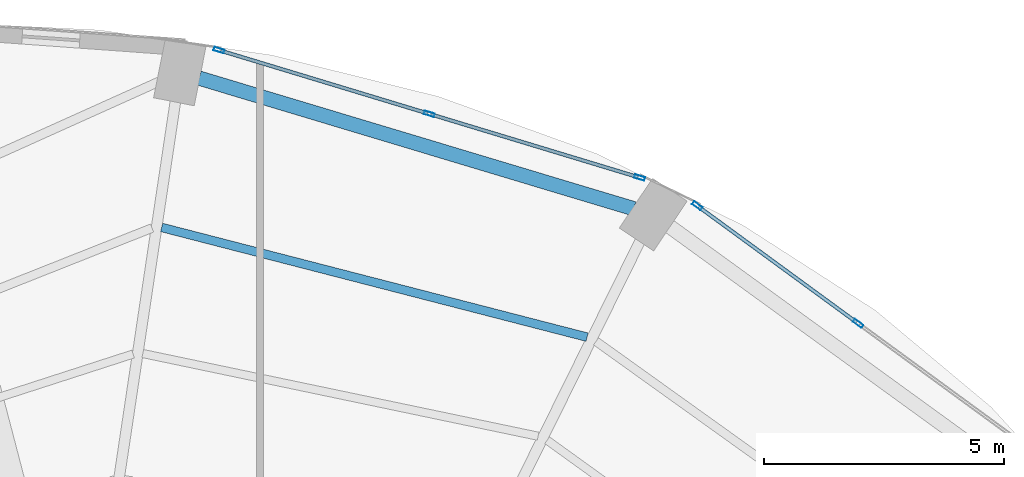
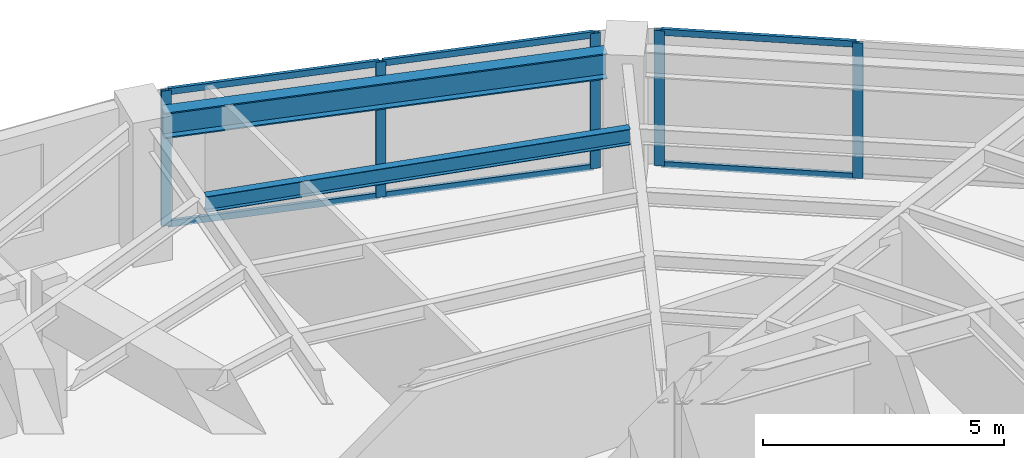
# One storey, part 17 of 24: 11 members, 2 beams, 2 elements without a shape of their own.
"""IFC4 building model written with IfcOpenShell, lengths in metres."""

from ifc_helpers import new_model, si_unit, direction, frame, origin, origin_2d, place, context, subcontext, project, spatial, hollow_rectangle, i_section, extrude, material, layer, layer_set, material_profile, profile_set, type_object, element, aggregate, save


model = new_model("IFC4")

# Units and contexts
model_context = context("Model", 3, precision=1e-05, world=origin(), true_north=direction((0.0, 1.0)))
body_context = subcontext(model_context, "Body", "Model", "MODEL_VIEW")
ifc_project = project(units=[si_unit("LENGTHUNIT", "METRE"), si_unit("AREAUNIT", "SQUARE_METRE"), si_unit("VOLUMEUNIT", "CUBIC_METRE"), si_unit("PLANEANGLEUNIT", "RADIAN"), si_unit("MASSUNIT", "GRAM", prefix="KILO")], contexts=[model_context])

# Site, building, storey
site_placement = place(None, origin())
site = spatial("IfcSite", under=ifc_project, at=site_placement, CompositionType="ELEMENT")
building_placement = place(site_placement, origin())
building = spatial("IfcBuilding", under=site, at=building_placement, Name="Lazwardi Medical Tower", CompositionType="ELEMENT")
storey_placement = place(building_placement, frame((0.0, 0.0, 36.14404296875)))
storey = spatial("IfcBuildingStorey", under=building, at=storey_placement, Name="L08", CompositionType="ELEMENT", Elevation=36.14404296875)

# Beams
ifc_material_1 = material(Name="Steel S355", Category="steel")
ifc_material_profile_1 = material_profile(ifc_material_1, i_section(OverallWidth=0.300048828125, OverallDepth=0.64990234375, WebThickness=0.01611328125, FlangeThickness=0.031005859375, at=origin_2d()), Name="HEB 650")
ifc_profile_set_1 = profile_set([ifc_material_profile_1], Name="Steel S355")
beam_type_1 = type_object("IfcBeamType", Name="BM-RB-Z1", PredefinedType="BEAM", material=ifc_profile_set_1)
beam_1_placement = place(storey_placement, frame((50.77880859375, 47.0048828125, 3.10302734375), z_axis=(-0.957695289269, 0.287784177662, 0.0), x_axis=(-0.287784177662, -0.957695289269, 0.0)))
element("IfcBeam", 1, at=beam_1_placement, inside=storey, type_object=beam_type_1, Name="Ring beam RB-02 B07 L08", PredefinedType="BEAM", context=body_context, shape_type="SweptSolid", body=[
    extrude(i_section(OverallWidth=0.300048828125, OverallDepth=0.64990234375, WebThickness=0.01611328125, FlangeThickness=0.031005859375, at=origin_2d()), origin(), (0.0, 0.0, 1.0), 9.445556640625),
])
ifc_material_profile_2 = material_profile(ifc_material_1, i_section(OverallWidth=0.179931640625, OverallDepth=0.39990234375, WebThickness=0.008544921875, FlangeThickness=0.013427734375, at=origin_2d()), Name="IPE 400")
ifc_profile_set_2 = profile_set([ifc_material_profile_2], Name="Steel S355")
beam_type_2 = type_object("IfcBeamType", Name="BM-SJ-01", PredefinedType="JOIST", material=ifc_profile_set_2)
beam_2_placement = place(storey_placement, frame((49.804931640625, 44.333251953125, 3.22802734375), z_axis=(-0.968316918308, 0.249724539682, 0.0), x_axis=(-0.249724539682, -0.968316918308, 0.0)))
element("IfcBeam", 2, at=beam_2_placement, inside=storey, type_object=beam_type_2, Name="Secondary joist SJ-01 R1 B07 L08", PredefinedType="JOIST", context=body_context, shape_type="SweptSolid", body=[
    extrude(i_section(OverallWidth=0.179931640625, OverallDepth=0.39990234375, WebThickness=0.008544921875, FlangeThickness=0.013427734375, at=origin_2d()), origin(), (0.0, 0.0, 1.0), 9.140869140625),
])

# Curtain wall, members
ifc_material_2 = material(Name="Anodised bronze aluminium and solar control glazing", Category="aluminium")
ifc_layer = layer(ifc_material_2, 0.199951171875)
ifc_layer_set = layer_set([ifc_layer], Name="Anodised bronze aluminium and solar control glazing")
curtain_wall_type = type_object("IfcCurtainWallType", Name="CW-SYS-02", PredefinedType="NOTDEFINED", material=ifc_layer_set)
curtain_wall_1_placement = place(storey_placement, origin())
curtain_wall_1 = element("IfcCurtainWall", 3, at=curtain_wall_1_placement, inside=storey, type_object=curtain_wall_type, Name="L08 Unitised bronze curtain wall CW-02", PredefinedType="NOTDEFINED")
ifc_material_3 = material(Name="Anodised bronze aluminium", Category="aluminium")
ifc_material_profile_3 = material_profile(ifc_material_3, hollow_rectangle(XDim=0.074951171875, YDim=0.219970703125, WallThickness=0.00390625, at=origin_2d()), Name="ALU-MULLION 220x75x4")
ifc_profile_set_3 = profile_set([ifc_material_profile_3], Name="Anodised bronze aluminium")
member_type_1 = type_object("IfcMemberType", Name="CW-MUL-01", PredefinedType="MULLION", material=ifc_profile_set_3)
member_1_placement = place(storey_placement, frame((55.4443359375, 44.619384765625, 0.0), z_axis=(0.0, 0.0, 1.0), x_axis=(-0.590289307341, -0.807191757663, 0.0)))
member_1 = element("IfcMember", 4, at=member_1_placement, type_object=member_type_1, Name="CW-02 mullion 2", PredefinedType="MULLION", context=body_context, shape_type="SweptSolid", body=[
    extrude(hollow_rectangle(XDim=0.074951171875, YDim=0.219970703125, WallThickness=0.00390625, at=origin_2d()), origin(), (0.0, 0.0, 1.0), 3.427978515625),
])
member_2_placement = place(storey_placement, frame((52.0986328125, 47.066162109375, 0.0), z_axis=(0.0, 0.0, 1.0), x_axis=(-0.590289307341, -0.807191757663, 0.0)))
member_2 = element("IfcMember", 5, at=member_2_placement, type_object=member_type_1, Name="CW-02 mullion 3", PredefinedType="MULLION", context=body_context, shape_type="SweptSolid", body=[
    extrude(hollow_rectangle(XDim=0.074951171875, YDim=0.219970703125, WallThickness=0.00390625, at=origin_2d()), origin(), (0.0, 0.0, 1.0), 3.427978515625),
])

curtain_wall_2_placement = place(storey_placement, origin())
curtain_wall_2 = element("IfcCurtainWall", 6, at=curtain_wall_2_placement, inside=storey, type_object=curtain_wall_type, Name="L08 Unitised bronze curtain wall CW-02", PredefinedType="NOTDEFINED")
member_3_placement = place(storey_placement, frame((50.8984375, 47.653076171875, 0.0), z_axis=(0.0, 0.0, 1.0), x_axis=(-0.2898956909, -0.957058247129, 0.0)))
member_3 = element("IfcMember", 7, at=member_3_placement, type_object=member_type_1, Name="CW-02 mullion 1", PredefinedType="MULLION", context=body_context, shape_type="SweptSolid", body=[
    extrude(hollow_rectangle(XDim=0.074951171875, YDim=0.219970703125, WallThickness=0.00390625, at=origin_2d()), origin(), (0.0, 0.0, 1.0), 3.427978515625),
])
member_4_placement = place(storey_placement, frame((46.523193359375, 48.978515625, 0.0), z_axis=(0.0, 0.0, 1.0), x_axis=(-0.2898956909, -0.957058247129, 0.0)))
member_4 = element("IfcMember", 8, at=member_4_placement, type_object=member_type_1, Name="CW-02 mullion 2", PredefinedType="MULLION", context=body_context, shape_type="SweptSolid", body=[
    extrude(hollow_rectangle(XDim=0.074951171875, YDim=0.219970703125, WallThickness=0.00390625, at=origin_2d()), origin(), (0.0, 0.0, 1.0), 3.427978515625),
])
member_5_placement = place(storey_placement, frame((42.14794921875, 50.3037109375, 0.0), z_axis=(0.0, 0.0, 1.0), x_axis=(-0.2898956909, -0.957058247129, 0.0)))
member_5 = element("IfcMember", 9, at=member_5_placement, type_object=member_type_1, Name="CW-02 mullion 3", PredefinedType="MULLION", context=body_context, shape_type="SweptSolid", body=[
    extrude(hollow_rectangle(XDim=0.074951171875, YDim=0.219970703125, WallThickness=0.00390625, at=origin_2d()), origin(), (0.0, 0.0, 1.0), 3.427978515625),
])

# Member
ifc_material_profile_4 = material_profile(ifc_material_3, hollow_rectangle(XDim=0.074951171875, YDim=0.159912109375, WallThickness=0.00390625, at=origin_2d()), Name="ALU-TRANSOM 160x75x4")
ifc_profile_set_4 = profile_set([ifc_material_profile_4], Name="Anodised bronze aluminium")
member_type_2 = type_object("IfcMemberType", Name="CW-TRN-01", PredefinedType="USERDEFINED", material=ifc_profile_set_4)
member_6_placement = place(storey_placement, frame((55.4140625, 44.641357421875, 0.037353515625), z_axis=(-0.807169053975, 0.590320352271, 0.0), x_axis=(-0.590320352271, -0.807169053975, 0.0)))
member_6 = element("IfcMember", 10, at=member_6_placement, type_object=member_type_2, Name="CW-02 transom 2.1", ObjectType="TRANSOM", PredefinedType="USERDEFINED", context=body_context, shape_type="SweptSolid", body=[
    extrude(hollow_rectangle(XDim=0.074951171875, YDim=0.159912109375, WallThickness=0.00390625, at=origin_2d()), origin(), (0.0, 0.0, 1.0), 4.070068359375),
])

member_7_placement = place(storey_placement, frame((55.4140625, 44.641357421875, 3.390380859375), z_axis=(-0.807169053975, 0.590320352271, 0.0), x_axis=(-0.590320352271, -0.807169053975, 0.0)))
member_7 = element("IfcMember", 11, at=member_7_placement, type_object=member_type_2, Name="CW-02 transom 2.2", ObjectType="TRANSOM", PredefinedType="USERDEFINED", context=body_context, shape_type="SweptSolid", body=[
    extrude(hollow_rectangle(XDim=0.074951171875, YDim=0.159912109375, WallThickness=0.00390625, at=origin_2d()), origin(), (0.0, 0.0, 1.0), 4.070068359375),
])

aggregate(curtain_wall_1, [member_1, member_2, member_6, member_7])

member_8_placement = place(storey_placement, frame((50.862548828125, 47.6640625, 0.037353515625), z_axis=(-0.957062297904, 0.289882317383, 0.0), x_axis=(-0.289882317383, -0.957062297904, 0.0)))
member_8 = element("IfcMember", 12, at=member_8_placement, type_object=member_type_2, Name="CW-02 transom 1.1", ObjectType="TRANSOM", PredefinedType="USERDEFINED", context=body_context, shape_type="SweptSolid", body=[
    extrude(hollow_rectangle(XDim=0.074951171875, YDim=0.159912109375, WallThickness=0.00390625, at=origin_2d()), origin(), (0.0, 0.0, 1.0), 4.49658203125),
])

member_9_placement = place(storey_placement, frame((50.862548828125, 47.6640625, 3.390380859375), z_axis=(-0.957062297904, 0.289882317383, 0.0), x_axis=(-0.289882317383, -0.957062297904, 0.0)))
member_9 = element("IfcMember", 13, at=member_9_placement, type_object=member_type_2, Name="CW-02 transom 1.2", ObjectType="TRANSOM", PredefinedType="USERDEFINED", context=body_context, shape_type="SweptSolid", body=[
    extrude(hollow_rectangle(XDim=0.074951171875, YDim=0.159912109375, WallThickness=0.00390625, at=origin_2d()), origin(), (0.0, 0.0, 1.0), 4.49658203125),
])

member_10_placement = place(storey_placement, frame((46.4873046875, 48.9892578125, 0.037353515625), z_axis=(-0.957047233423, 0.28993204893, 0.0), x_axis=(-0.28993204893, -0.957047233423, 0.0)))
member_10 = element("IfcMember", 14, at=member_10_placement, type_object=member_type_2, Name="CW-02 transom 2.1", ObjectType="TRANSOM", PredefinedType="USERDEFINED", context=body_context, shape_type="SweptSolid", body=[
    extrude(hollow_rectangle(XDim=0.074951171875, YDim=0.159912109375, WallThickness=0.00390625, at=origin_2d()), origin(), (0.0, 0.0, 1.0), 4.49658203125),
])

member_11_placement = place(storey_placement, frame((46.4873046875, 48.9892578125, 3.390380859375), z_axis=(-0.957047233423, 0.28993204893, 0.0), x_axis=(-0.28993204893, -0.957047233423, 0.0)))
member_11 = element("IfcMember", 15, at=member_11_placement, type_object=member_type_2, Name="CW-02 transom 2.2", ObjectType="TRANSOM", PredefinedType="USERDEFINED", context=body_context, shape_type="SweptSolid", body=[
    extrude(hollow_rectangle(XDim=0.074951171875, YDim=0.159912109375, WallThickness=0.00390625, at=origin_2d()), origin(), (0.0, 0.0, 1.0), 4.49658203125),
])

aggregate(curtain_wall_2, [member_3, member_4, member_5, member_8, member_9, member_10, member_11])

save(model, "model.ifc")
